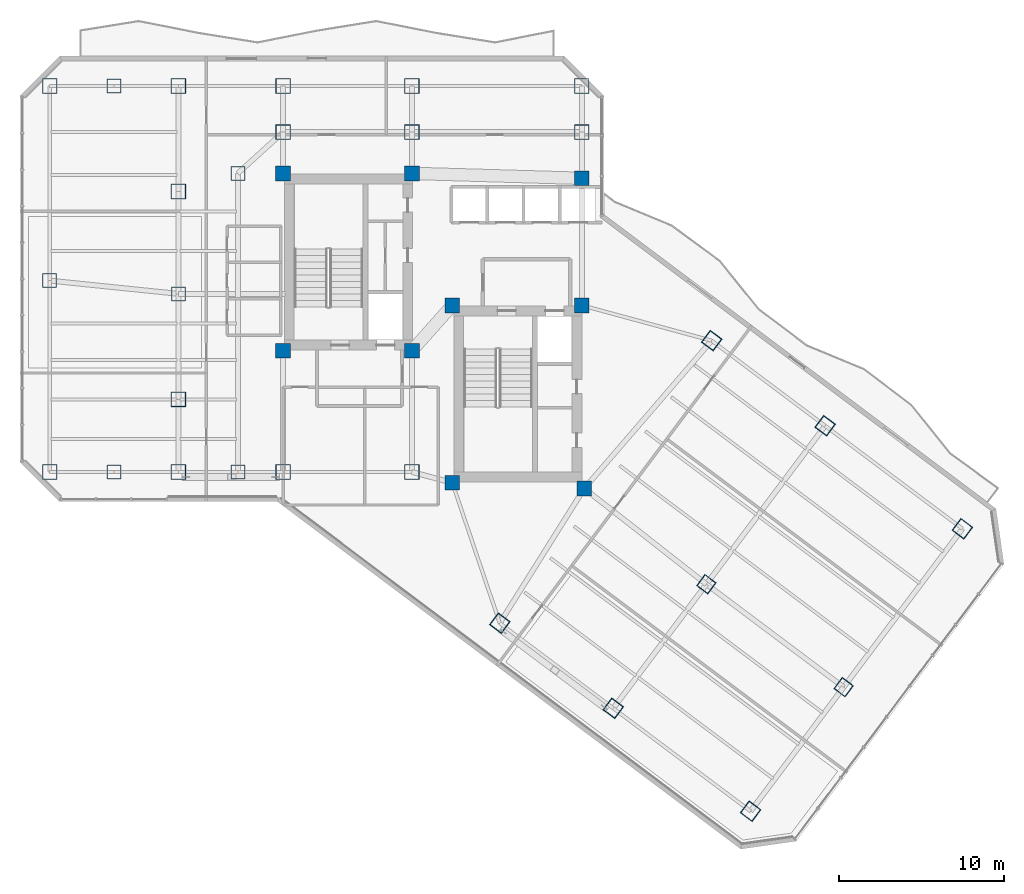
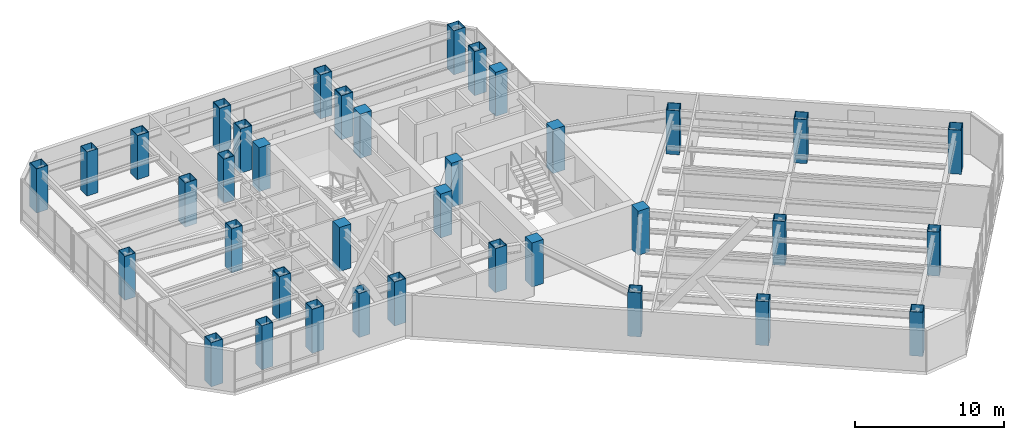
# One storey, part 1 of 29: 37 columns.
"""IFC4 building model written with IfcOpenShell, lengths in metres."""

from ifc_helpers import new_model, si_unit, direction, frame, origin, origin_2d, place, context, subcontext, project, spatial, rectangle, hollow_rectangle, extrude, material, material_profile, profile_set, type_object, element, save


model = new_model("IFC4")

# Units and contexts
model_context = context("Model", 3, precision=1e-05, world=origin(), true_north=direction((0.0, 1.0)))
body_context = subcontext(model_context, "Body", "Model", "MODEL_VIEW")
ifc_project = project(units=[si_unit("LENGTHUNIT", "METRE"), si_unit("AREAUNIT", "SQUARE_METRE"), si_unit("VOLUMEUNIT", "CUBIC_METRE"), si_unit("PLANEANGLEUNIT", "RADIAN"), si_unit("MASSUNIT", "GRAM", prefix="KILO")], contexts=[model_context])

# Site, building, storey
site_placement = place(None, origin())
site = spatial("IfcSite", under=ifc_project, at=site_placement, CompositionType="ELEMENT")
building_placement = place(site_placement, origin())
building = spatial("IfcBuilding", under=site, at=building_placement, Name="Hatsunagi Terrace Concourse", CompositionType="ELEMENT")
storey_placement = place(building_placement, frame((0.0, 0.0, 119.25)))
storey = spatial("IfcBuildingStorey", under=building, at=storey_placement, Name="L31", CompositionType="ELEMENT", Elevation=119.25)

# Columns
ifc_material_1 = material(Name="Concrete Fc48", Category="concrete")
ifc_material_profile_1 = material_profile(ifc_material_1, rectangle(XDim=0.89990234375, YDim=0.89990234375, at=origin_2d()), Name="RC-900x900")
ifc_profile_set_1 = profile_set([ifc_material_profile_1], Name="Concrete Fc48")
column_type_1 = type_object("IfcColumnType", Name="CoreColumn_RC_900x900", PredefinedType="COLUMN", material=ifc_profile_set_1)
for number, where, z_axis, x_axis, name in (
    (1, (25.550048828125, 32.550048828125, 0.0), (0.0, 0.0, 1.0), (1.0, 0.0, 0.0), "Column C-02 L31-CASW"),
    (2, (33.35009765625, 32.550048828125, 0.0), (0.0, 0.0, 1.0), (1.0, 0.0, 0.0), "Column C-02 L31-CASE"),
    (3, (25.550048828125, 43.300048828125, 0.0), (0.0, 0.0, 1.0), (1.0, 0.0, 0.0), "Column C-02 L31-CANW"),
    (4, (33.35009765625, 43.300048828125, 0.0), (0.0, 0.0, 1.0), (1.0, 0.0, 0.0), "Column C-02 L31-CANE"),
    (5, (35.800048828125, 24.550048828125, 0.0), (0.0, 0.0, 1.0), (1.0, 0.0, 0.0), "Column C-02 L31-CBSW"),
    (6, (43.800048828125, 24.199951171875, 0.0), (0.0, 0.0, 1.0), (1.0, 0.0, 0.0), "Column C-02 L31-CBSE"),
    (7, (35.800048828125, 35.300048828125, 0.0), (0.0, 0.0, 1.0), (1.0, 0.0, 0.0), "Column C-02 L31-CBNW"),
    (8, (43.64990234375, 35.300048828125, 0.0), (0.0, 0.0, 1.0), (1.0, 0.0, 0.0), "Column C-02 L31-CBNE"),
    (9, (43.64990234375, 43.0, 0.0), (0.0, 0.0, 1.0), (1.0, 0.0, 0.0), "Column C-02 L31-K3"),
):
    element("IfcColumn", number, at=place(storey_placement, frame(where, z_axis=z_axis, x_axis=x_axis)), inside=storey, type_object=column_type_1, Name=name, PredefinedType="COLUMN", context=body_context, shape_type="SweptSolid", body=[
        extrude(rectangle(XDim=0.89990234375, YDim=0.89990234375, at=origin_2d()), origin(), (0.0, 0.0, 1.0), 3.60009765625),
    ])
ifc_material_2 = material(Name="Steel BCP325T", Category="steel")
ifc_material_profile_2 = material_profile(ifc_material_2, hollow_rectangle(XDim=0.85009765625, YDim=0.85009765625, WallThickness=0.031982421875, at=origin_2d()), Name="BCP-850x850x32")
ifc_profile_set_2 = profile_set([ifc_material_profile_2], Name="Steel BCP325T")
column_type_2 = type_object("IfcColumnType", Name="TowerBoxColumn_850x850x32", PredefinedType="COLUMN", material=ifc_profile_set_2)
for number, where, z_axis, x_axis, name in (
    (10, (22.800048828125, 25.199951171875, 0.0), (0.0, 0.0, 1.0), (1.0, 0.0, 0.0), "Column C-05 L31-CW1"),
    (11, (22.800048828125, 43.300048828125, 0.0), (0.0, 0.0, 1.0), (1.0, 0.0, 0.0), "Column C-05 L31-CW2"),
    (12, (11.39990234375, 36.800048828125, 0.0), (0.0, 0.0, 1.0), (1.0, 0.0, 0.0), "Column C-05 L31-WT1"),
    (13, (19.199951171875, 36.0, 0.0), (0.0, 0.0, 1.0), (1.0, 0.0, 0.0), "Column C-05 L31-WT2"),
    (14, (15.300048828125, 25.199951171875, 0.0), (0.0, 0.0, 1.0), (1.0, 0.0, 0.0), "Column C-05 L31-WT3"),
    (15, (15.300048828125, 48.60009765625, 0.0), (0.0, 0.0, 1.0), (1.0, 0.0, 0.0), "Column C-05 L31-WT4"),
    (16, (51.199951171875, 18.39990234375, 0.0), (0.0, 0.0, 1.0), (0.799999996291, -0.600000004945, 0.0), "Column C-05 L31-SEM2"),
    (17, (59.52001953125, 12.159912109375, 0.0), (0.0, 0.0, 1.0), (0.799999996291, -0.600000004945, 0.0), "Column C-05 L31-SEM3"),
):
    element("IfcColumn", number, at=place(storey_placement, frame(where, z_axis=z_axis, x_axis=x_axis)), inside=storey, type_object=column_type_2, Name=name, PredefinedType="COLUMN", context=body_context, shape_type="SweptSolid", body=[
        extrude(hollow_rectangle(XDim=0.85009765625, YDim=0.85009765625, WallThickness=0.031982421875, at=origin_2d()), origin(), (0.0, 0.0, 1.0), 3.60009765625),
    ])
ifc_material_3 = material(Name="Steel BCP325T", Category="steel")
ifc_material_profile_3 = material_profile(ifc_material_3, hollow_rectangle(XDim=0.89990234375, YDim=0.89990234375, WallThickness=0.035888671875, at=origin_2d()), Name="BCP-900x900x36")
ifc_profile_set_3 = profile_set([ifc_material_profile_3], Name="Steel BCP325T")
column_type_3 = type_object("IfcColumnType", Name="TowerBoxColumn_900x900x36", PredefinedType="COLUMN", material=ifc_profile_set_3)
for number, where, z_axis, x_axis, name in (
    (18, (25.550048828125, 25.199951171875, 0.0), (0.0, 0.0, 1.0), (1.0, 0.0, 0.0), "Column C-04 L31-K1"),
    (19, (33.35009765625, 25.199951171875, 0.0), (0.0, 0.0, 1.0), (1.0, 0.0, 0.0), "Column C-04 L31-K2"),
    (20, (25.550048828125, 45.800048828125, 0.0), (0.0, 0.0, 1.0), (1.0, 0.0, 0.0), "Column C-04 L31-CN1"),
    (21, (33.35009765625, 45.800048828125, 0.0), (0.0, 0.0, 1.0), (1.0, 0.0, 0.0), "Column C-04 L31-CN2"),
    (22, (43.64990234375, 45.800048828125, 0.0), (0.0, 0.0, 1.0), (1.0, 0.0, 0.0), "Column C-04 L31-CN3"),
    (23, (11.39990234375, 25.199951171875, 0.0), (0.0, 0.0, 1.0), (1.0, 0.0, 0.0), "Column C-04 L31-WS2"),
    (24, (11.39990234375, 48.60009765625, 0.0), (0.0, 0.0, 1.0), (1.0, 0.0, 0.0), "Column C-04 L31-WN2"),
    (25, (19.199951171875, 48.60009765625, 0.0), (0.0, 0.0, 1.0), (1.0, 0.0, 0.0), "Column C-04 L31-WN3"),
    (26, (25.550048828125, 48.60009765625, 0.0), (0.0, 0.0, 1.0), (1.0, 0.0, 0.0), "Column C-04 L31-WN4"),
    (27, (33.35009765625, 48.60009765625, 0.0), (0.0, 0.0, 1.0), (1.0, 0.0, 0.0), "Column C-04 L31-WN5"),
    (28, (43.64990234375, 48.60009765625, 0.0), (0.0, 0.0, 1.0), (1.0, 0.0, 0.0), "Column C-04 L31-WN6"),
    (29, (19.199951171875, 25.199951171875, 0.0), (0.0, 0.0, 1.0), (1.0, 0.0, 0.0), "Column C-04 L31-WS3"),
    (30, (19.199951171875, 29.60009765625, 0.0), (0.0, 0.0, 1.0), (1.0, 0.0, 0.0), "Column C-04 L31-WR1"),
    (31, (19.199951171875, 42.199951171875, 0.0), (0.0, 0.0, 1.0), (1.0, 0.0, 0.0), "Column C-04 L31-WR2"),
    (32, (38.679931640625, 16.0400390625, 0.0), (0.0, 0.0, 1.0), (0.799999996291, -0.600000004945, 0.0), "Column C-04 L31-SES1"),
    (33, (51.52001953125, 33.159912109375, 0.0), (0.0, 0.0, 1.0), (0.799999996291, -0.600000004945, 0.0), "Column C-04 L31-SEN1"),
    (34, (45.56005859375, 10.8798828125, 0.0), (0.0, 0.0, 1.0), (0.799999996291, -0.600000004945, 0.0), "Column C-04 L31-SES2"),
    (35, (58.39990234375, 28.0, 0.0), (0.0, 0.0, 1.0), (0.799999996291, -0.600000004945, 0.0), "Column C-04 L31-SEN2"),
    (36, (53.8798828125, 4.639892578125, 0.0), (0.0, 0.0, 1.0), (0.799999996291, -0.600000004945, 0.0), "Column C-04 L31-SES3"),
    (37, (66.719970703125, 21.760009765625, 0.0), (0.0, 0.0, 1.0), (0.799999996291, -0.600000004945, 0.0), "Column C-04 L31-SEN3"),
):
    element("IfcColumn", number, at=place(storey_placement, frame(where, z_axis=z_axis, x_axis=x_axis)), inside=storey, type_object=column_type_3, Name=name, PredefinedType="COLUMN", context=body_context, shape_type="SweptSolid", body=[
        extrude(hollow_rectangle(XDim=0.89990234375, YDim=0.89990234375, WallThickness=0.035888671875, at=origin_2d()), origin(), (0.0, 0.0, 1.0), 3.60009765625),
    ])

save(model, "model.ifc")
